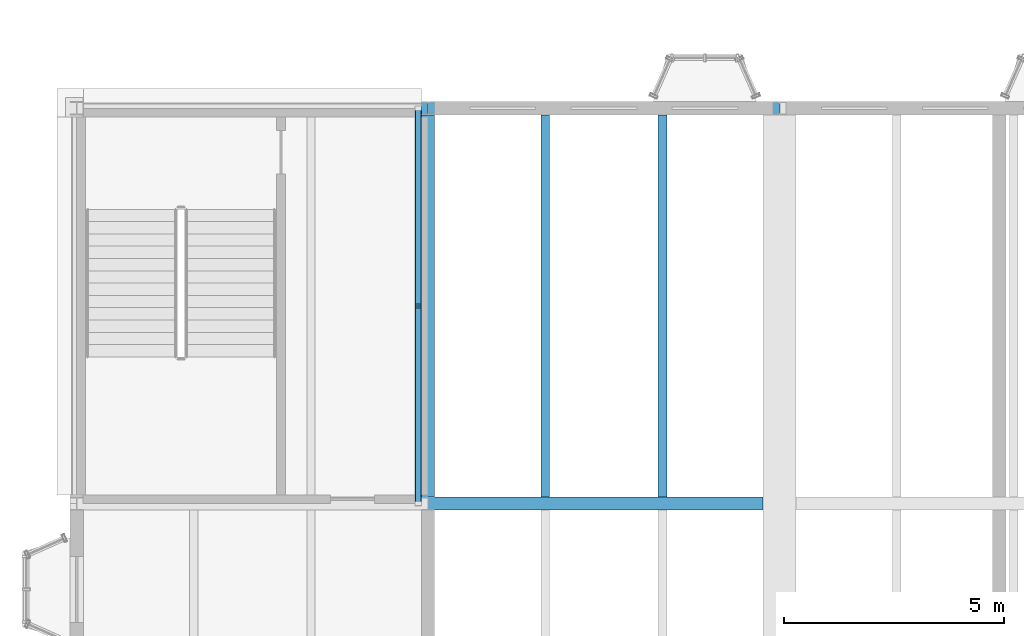
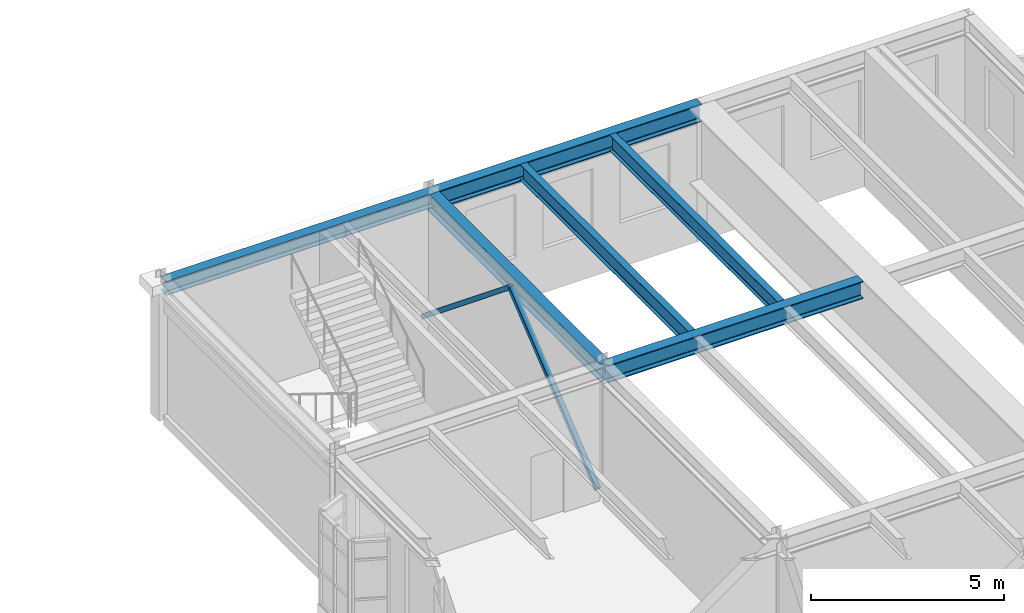
# One storey, part 21 of 153: 6 beams, 2 members.
"""IFC4 building model written with IfcOpenShell, lengths in metres."""

from ifc_helpers import new_model, si_unit, direction, frame, origin, origin_2d, place, context, subcontext, project, spatial, hollow_rectangle, i_section, extrude, material, material_profile, profile_set, type_object, element, save


model = new_model("IFC4")

# Units and contexts
model_context = context("Model", 3, precision=1e-05, world=origin(), true_north=direction((0.0, 1.0)))
body_context = subcontext(model_context, "Body", "Model", "MODEL_VIEW")
ifc_project = project(units=[si_unit("LENGTHUNIT", "METRE"), si_unit("AREAUNIT", "SQUARE_METRE"), si_unit("VOLUMEUNIT", "CUBIC_METRE"), si_unit("PLANEANGLEUNIT", "RADIAN"), si_unit("MASSUNIT", "GRAM", prefix="KILO")], contexts=[model_context])

# Site, building, storey
site_placement = place(None, origin())
site = spatial("IfcSite", under=ifc_project, at=site_placement, CompositionType="ELEMENT")
building_placement = place(site_placement, origin())
building = spatial("IfcBuilding", under=site, at=building_placement, Name="Kallimachos Central Library", CompositionType="ELEMENT")
storey_placement = place(building_placement, frame((0.0, 0.0, 5.39990234375)))
storey = spatial("IfcBuildingStorey", under=building, at=storey_placement, Name="L01", CompositionType="ELEMENT", Elevation=5.39990234375)

# Beams
ifc_material_1 = material(Name="Steel S355J2", Category="steel")
ifc_material_profile_1 = material_profile(ifc_material_1, i_section(OverallWidth=0.300048828125, OverallDepth=0.449951171875, WebThickness=0.013916015625, FlangeThickness=0.02587890625, FilletRadius=0.027099609375, at=origin_2d()), Name="HEB 450")
ifc_profile_set_1 = profile_set([ifc_material_profile_1], Name="Steel S355J2")
beam_type_1 = type_object("IfcBeamType", Name="HEB 450 beam", PredefinedType="BEAM", material=ifc_profile_set_1)
beam_1_placement = place(storey_placement, frame((6.0, 36.0, 4.0751953125), z_axis=(1.0, 0.0, 0.0), x_axis=(0.0, 1.0, 0.0)))
element("IfcBeam", 1, at=beam_1_placement, inside=storey, type_object=beam_type_1, Name="V6-BEM-L01-007", PredefinedType="BEAM", context=body_context, shape_type="SweptSolid", body=[
    extrude(i_section(OverallWidth=0.300048828125, OverallDepth=0.449951171875, WebThickness=0.013916015625, FlangeThickness=0.02587890625, FilletRadius=0.027099609375, at=origin_2d()), origin(), (0.0, 0.0, 1.0), 8.0),
])
ifc_material_2 = material(Name="Steel S355J2", Category="steel")
ifc_material_profile_2 = material_profile(ifc_material_2, i_section(OverallWidth=0.300048828125, OverallDepth=0.550048828125, WebThickness=0.014892578125, FlangeThickness=0.029052734375, FilletRadius=0.027099609375, at=origin_2d()), Name="HEB 550")
ifc_profile_set_2 = profile_set([ifc_material_profile_2], Name="Steel S355J2")
beam_type_2 = type_object("IfcBeamType", Name="HEB 550 beam", PredefinedType="BEAM", material=ifc_profile_set_2)
beam_2_placement = place(storey_placement, frame((14.0, 27.0, 4.025146484375), z_axis=(0.0, 1.0, 0.0), x_axis=(-1.0, 0.0, 0.0)))
element("IfcBeam", 2, at=beam_2_placement, inside=storey, type_object=beam_type_2, Name="V6-BEM-L01-012", PredefinedType="BEAM", context=body_context, shape_type="SweptSolid", body=[
    extrude(i_section(OverallWidth=0.300048828125, OverallDepth=0.550048828125, WebThickness=0.014892578125, FlangeThickness=0.029052734375, FilletRadius=0.027099609375, at=origin_2d()), origin(), (0.0, 0.0, 1.0), 9.0),
])
beam_3_placement = place(storey_placement, frame((14.0, 27.0, 4.025146484375), z_axis=(1.0, 0.0, 0.0), x_axis=(0.0, 1.0, 0.0)))
element("IfcBeam", 3, at=beam_3_placement, inside=storey, type_object=beam_type_2, Name="V6-BEM-L01-013", PredefinedType="BEAM", context=body_context, shape_type="SweptSolid", body=[
    extrude(i_section(OverallWidth=0.300048828125, OverallDepth=0.550048828125, WebThickness=0.014892578125, FlangeThickness=0.029052734375, FilletRadius=0.027099609375, at=origin_2d()), origin(), (0.0, 0.0, 1.0), 7.625),
])
beam_4_placement = place(storey_placement, frame((14.0, 36.0, 4.025146484375), z_axis=(1.0, 0.0, 0.0), x_axis=(0.0, 1.0, 0.0)))
element("IfcBeam", 4, at=beam_4_placement, inside=storey, type_object=beam_type_2, Name="V6-BEM-L01-014", PredefinedType="BEAM", context=body_context, shape_type="SweptSolid", body=[
    extrude(i_section(OverallWidth=0.300048828125, OverallDepth=0.550048828125, WebThickness=0.014892578125, FlangeThickness=0.029052734375, FilletRadius=0.027099609375, at=origin_2d()), origin(), (0.0, 0.0, 1.0), 8.0),
])
ifc_material_3 = material(Name="Steel S355J2", Category="steel")
ifc_material_profile_3 = material_profile(ifc_material_3, i_section(OverallWidth=0.199951171875, OverallDepth=0.5, WebThickness=0.01025390625, FlangeThickness=0.01611328125, FilletRadius=0.02099609375, at=origin_2d()), Name="IPE 500")
ifc_profile_set_3 = profile_set([ifc_material_profile_3], Name="Steel S355J2")
beam_type_3 = type_object("IfcBeamType", Name="IPE 500 beam", PredefinedType="BEAM", material=ifc_profile_set_3)
for number, where, z_axis, x_axis, name in (
    (5, (16.666748046875, 27.14990234375, 4.050048828125), (0.0, 1.0, 0.0), (-1.0, 0.0, 0.0), "V6-BEM-L01-034"),
    (6, (19.333251953125, 27.14990234375, 4.050048828125), (0.0, 1.0, 0.0), (-1.0, 0.0, 0.0), "V6-BEM-L01-035"),
):
    element("IfcBeam", number, at=place(storey_placement, frame(where, z_axis=z_axis, x_axis=x_axis)), inside=storey, type_object=beam_type_3, Name=name, PredefinedType="BEAM", context=body_context, shape_type="SweptSolid", body=[
        extrude(i_section(OverallWidth=0.199951171875, OverallDepth=0.5, WebThickness=0.01025390625, FlangeThickness=0.01611328125, FilletRadius=0.02099609375, at=origin_2d()), origin(), (0.0, 0.0, 1.0), 8.7001953125),
    ])

# Members
ifc_material_4 = material(Name="Steel S355J2H", Category="steel")
ifc_material_profile_4 = material_profile(ifc_material_4, hollow_rectangle(XDim=0.14990234375, YDim=0.14990234375, WallThickness=0.010009765625, InnerFilletRadius=0.010009765625, OuterFilletRadius=0.014892578125, at=origin_2d()), Name="SHS 150x150x10")
ifc_profile_set_4 = profile_set([ifc_material_profile_4], Name="Steel S355J2H")
member_type = type_object("IfcMemberType", Name="SHS 150x150x10 brace", PredefinedType="BRACE", material=ifc_profile_set_4)
for number, where, z_axis, x_axis, name in (
    (7, (13.77490234375, 27.0, 0.400146484375), (0.0, 0.776649887184, 0.629932498557), (-1.0, 0.0, 0.0), "V6-MEM-L01-003"),
    (8, (13.77490234375, 36.0, 0.400146484375), (0.0, -0.776649887184, 0.629932498557), (1.0, 0.0, 0.0), "V6-MEM-L01-004"),
):
    element("IfcMember", number, at=place(storey_placement, frame(where, z_axis=z_axis, x_axis=x_axis)), inside=storey, type_object=member_type, Name=name, PredefinedType="BRACE", context=body_context, shape_type="SweptSolid", body=[
        extrude(hollow_rectangle(XDim=0.14990234375, YDim=0.14990234375, WallThickness=0.010009765625, InnerFilletRadius=0.010009765625, OuterFilletRadius=0.014892578125, at=origin_2d()), origin(), (0.0, 0.0, 1.0), 5.794189453125),
    ])

save(model, "model.ifc")
